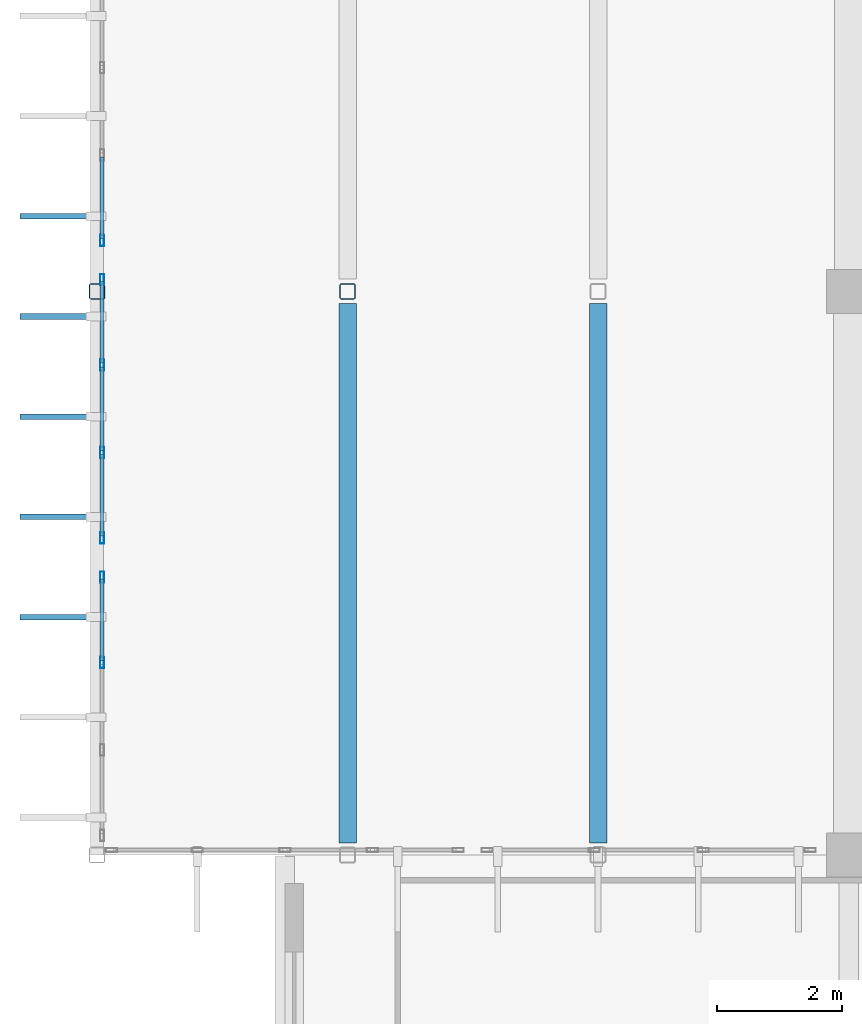
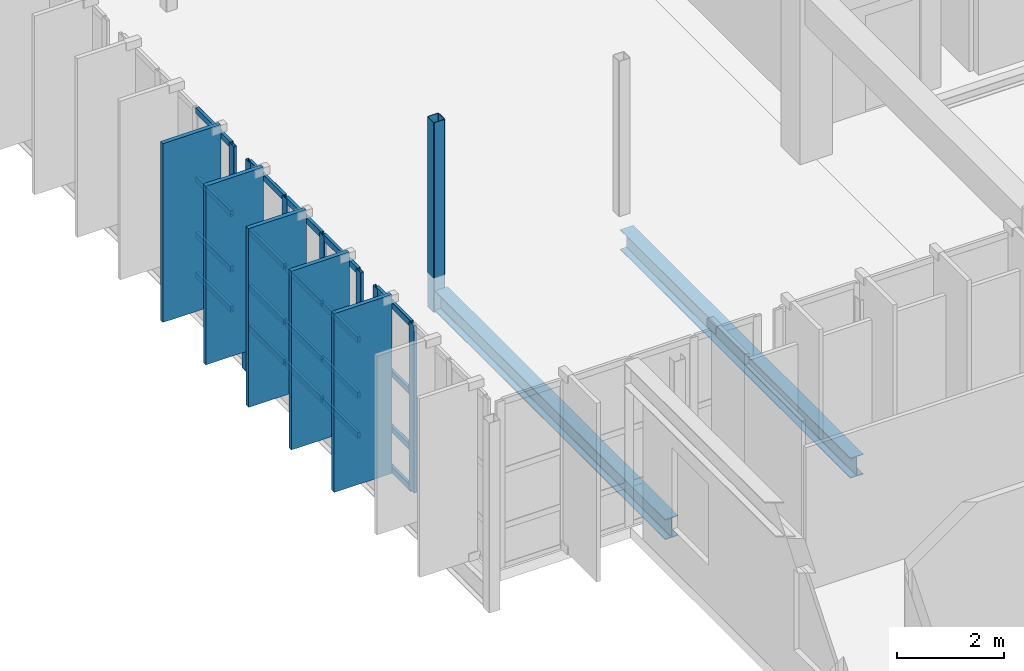
# One storey, part 27 of 110: 34 members, 2 beams, 3 elements without a shape of their own.
"""IFC4 building model written with IfcOpenShell, lengths in metres."""

from ifc_helpers import new_model, si_unit, direction, frame, origin, origin_2d, place, context, subcontext, project, spatial, rectangle, hollow_rectangle, i_section, extrude, material, material_profile, profile_set, type_object, element, aggregate, save


model = new_model("IFC4")

# Units and contexts
model_context = context("Model", 3, precision=1e-05, world=origin(), true_north=direction((0.0, 1.0)))
body_context = subcontext(model_context, "Body", "Model", "MODEL_VIEW")
ifc_project = project(units=[si_unit("LENGTHUNIT", "METRE"), si_unit("AREAUNIT", "SQUARE_METRE"), si_unit("VOLUMEUNIT", "CUBIC_METRE"), si_unit("PLANEANGLEUNIT", "RADIAN"), si_unit("MASSUNIT", "GRAM", prefix="KILO")], contexts=[model_context])

# Site, building, storey
site_placement = place(None, origin())
site = spatial("IfcSite", under=ifc_project, at=site_placement, CompositionType="ELEMENT")
building_placement = place(site_placement, origin())
building = spatial("IfcBuilding", under=site, at=building_placement, Name="Miravela Opera House", CompositionType="ELEMENT")
storey_placement = place(building_placement, frame((0.0, 0.0, 13.60009765625)))
storey = spatial("IfcBuildingStorey", under=building, at=storey_placement, Name="L03", CompositionType="ELEMENT", Elevation=13.60009765625)

# Curtain wall, members
ifc_material_1 = material(Name="Anodised architectural bronze aluminium 6063-T6", Category="aluminium")
curtain_wall_type = type_object("IfcCurtainWallType", Name="ARC-CW-02", PredefinedType="NOTDEFINED", material=ifc_material_1)
curtain_wall_1_placement = place(storey_placement, origin())
curtain_wall_1 = element("IfcCurtainWall", 1, at=curtain_wall_1_placement, inside=storey, type_object=curtain_wall_type, Name="Cantilever West Wrapper Glazing B1 CW-L03-015", PredefinedType="NOTDEFINED")
ifc_material_profile_1 = material_profile(ifc_material_1, hollow_rectangle(XDim=0.06494140625, YDim=0.179931640625, WallThickness=0.00390625, InnerFilletRadius=0.001953125, OuterFilletRadius=0.00390625, at=origin_2d()), Name="CWM-65X180")
ifc_profile_set_1 = profile_set([ifc_material_profile_1])
member_type_1 = type_object("IfcMemberType", Name="ARC-CWM-180", PredefinedType="MULLION", material=ifc_profile_set_1)
member_1_placement = place(storey_placement, frame((15.080078125, 40.0732421875, 0.0), z_axis=(0.0, 0.0, 1.0), x_axis=(-1.0, 0.0, 0.0)))
member_1 = element("IfcMember", 2, at=member_1_placement, type_object=member_type_1, Name="CW-02 mullion 3", PredefinedType="MULLION", context=body_context, shape_type="SweptSolid", body=[
    extrude(hollow_rectangle(XDim=0.06494140625, YDim=0.179931640625, WallThickness=0.00390625, InnerFilletRadius=0.001953125, OuterFilletRadius=0.00390625, at=origin_2d()), origin(), (0.0, 0.0, 1.0), 3.81982421875),
])
member_2_placement = place(storey_placement, frame((15.080078125, 41.4375, 0.0), z_axis=(0.0, 0.0, 1.0), x_axis=(-1.0, 0.0, 0.0)))
member_2 = element("IfcMember", 3, at=member_2_placement, type_object=member_type_1, Name="CW-02 mullion 4", PredefinedType="MULLION", context=body_context, shape_type="SweptSolid", body=[
    extrude(hollow_rectangle(XDim=0.06494140625, YDim=0.179931640625, WallThickness=0.00390625, InnerFilletRadius=0.001953125, OuterFilletRadius=0.00390625, at=origin_2d()), origin(), (0.0, 0.0, 1.0), 3.81982421875),
])

curtain_wall_2_placement = place(storey_placement, origin())
curtain_wall_2 = element("IfcCurtainWall", 4, at=curtain_wall_2_placement, inside=storey, type_object=curtain_wall_type, Name="Cantilever West Wrapper Glazing B2 CW-L03-016", PredefinedType="NOTDEFINED")
member_3_placement = place(storey_placement, frame((15.080078125, 42.0625, 0.0), z_axis=(0.0, 0.0, 1.0), x_axis=(-1.0, 0.0, 0.0)))
member_3 = element("IfcMember", 5, at=member_3_placement, type_object=member_type_1, Name="CW-02 mullion 1", PredefinedType="MULLION", context=body_context, shape_type="SweptSolid", body=[
    extrude(hollow_rectangle(XDim=0.06494140625, YDim=0.179931640625, WallThickness=0.00390625, InnerFilletRadius=0.001953125, OuterFilletRadius=0.00390625, at=origin_2d()), origin(), (0.0, 0.0, 1.0), 3.81982421875),
])
member_4_placement = place(storey_placement, frame((15.080078125, 43.4267578125, 0.0), z_axis=(0.0, 0.0, 1.0), x_axis=(-1.0, 0.0, 0.0)))
member_4 = element("IfcMember", 6, at=member_4_placement, type_object=member_type_1, Name="CW-02 mullion 2", PredefinedType="MULLION", context=body_context, shape_type="SweptSolid", body=[
    extrude(hollow_rectangle(XDim=0.06494140625, YDim=0.179931640625, WallThickness=0.00390625, InnerFilletRadius=0.001953125, OuterFilletRadius=0.00390625, at=origin_2d()), origin(), (0.0, 0.0, 1.0), 3.81982421875),
])
member_5_placement = place(storey_placement, frame((15.080078125, 44.8232421875, 0.0), z_axis=(0.0, 0.0, 1.0), x_axis=(-1.0, 0.0, 0.0)))
member_5 = element("IfcMember", 7, at=member_5_placement, type_object=member_type_1, Name="CW-02 mullion 3", PredefinedType="MULLION", context=body_context, shape_type="SweptSolid", body=[
    extrude(hollow_rectangle(XDim=0.06494140625, YDim=0.179931640625, WallThickness=0.00390625, InnerFilletRadius=0.001953125, OuterFilletRadius=0.00390625, at=origin_2d()), origin(), (0.0, 0.0, 1.0), 3.81982421875),
])
member_6_placement = place(storey_placement, frame((15.080078125, 46.1875, 0.0), z_axis=(0.0, 0.0, 1.0), x_axis=(-1.0, 0.0, 0.0)))
member_6 = element("IfcMember", 8, at=member_6_placement, type_object=member_type_1, Name="CW-02 mullion 4", PredefinedType="MULLION", context=body_context, shape_type="SweptSolid", body=[
    extrude(hollow_rectangle(XDim=0.06494140625, YDim=0.179931640625, WallThickness=0.00390625, InnerFilletRadius=0.001953125, OuterFilletRadius=0.00390625, at=origin_2d()), origin(), (0.0, 0.0, 1.0), 3.81982421875),
])

# Curtain wall, member
curtain_wall_3_placement = place(storey_placement, origin())
curtain_wall_3 = element("IfcCurtainWall", 9, at=curtain_wall_3_placement, inside=storey, type_object=curtain_wall_type, Name="Cantilever West Wrapper Glazing B3 CW-L03-017", PredefinedType="NOTDEFINED")
member_7_placement = place(storey_placement, frame((15.080078125, 46.8125, 0.0), z_axis=(0.0, 0.0, 1.0), x_axis=(-1.0, 0.0, 0.0)))
member_7 = element("IfcMember", 10, at=member_7_placement, type_object=member_type_1, Name="CW-02 mullion 1", PredefinedType="MULLION", context=body_context, shape_type="SweptSolid", body=[
    extrude(hollow_rectangle(XDim=0.06494140625, YDim=0.179931640625, WallThickness=0.00390625, InnerFilletRadius=0.001953125, OuterFilletRadius=0.00390625, at=origin_2d()), origin(), (0.0, 0.0, 1.0), 3.81982421875),
])

# Member
ifc_material_profile_2 = material_profile(ifc_material_1, hollow_rectangle(XDim=0.06494140625, YDim=0.139892578125, WallThickness=0.00390625, InnerFilletRadius=0.001953125, OuterFilletRadius=0.00390625, at=origin_2d()), Name="CWT-65X140")
ifc_profile_set_2 = profile_set([ifc_material_profile_2])
member_type_2 = type_object("IfcMemberType", Name="ARC-CWT-140", PredefinedType="USERDEFINED", material=ifc_profile_set_2)
member_8_placement = place(storey_placement, frame((15.080078125, 40.105712890625, 0.032470703125), z_axis=(0.0, 1.0, 0.0), x_axis=(-1.0, 0.0, 0.0)))
member_8 = element("IfcMember", 11, at=member_8_placement, type_object=member_type_2, Name="CW-02 transom 3.1", ObjectType="TRANSOM", PredefinedType="USERDEFINED", context=body_context, shape_type="SweptSolid", body=[
    extrude(hollow_rectangle(XDim=0.06494140625, YDim=0.139892578125, WallThickness=0.00390625, InnerFilletRadius=0.001953125, OuterFilletRadius=0.00390625, at=origin_2d()), origin(), (0.0, 0.0, 1.0), 1.29931640625),
])

member_9_placement = place(storey_placement, frame((15.080078125, 40.105712890625, 0.949951171875), z_axis=(0.0, 1.0, 0.0), x_axis=(-1.0, 0.0, 0.0)))
member_9 = element("IfcMember", 12, at=member_9_placement, type_object=member_type_2, Name="CW-02 transom 3.2", ObjectType="TRANSOM", PredefinedType="USERDEFINED", context=body_context, shape_type="SweptSolid", body=[
    extrude(hollow_rectangle(XDim=0.06494140625, YDim=0.139892578125, WallThickness=0.00390625, InnerFilletRadius=0.001953125, OuterFilletRadius=0.00390625, at=origin_2d()), origin(), (0.0, 0.0, 1.0), 1.29931640625),
])

member_10_placement = place(storey_placement, frame((15.080078125, 40.105712890625, 2.215576171875), z_axis=(0.0, 1.0, 0.0), x_axis=(-1.0, 0.0, 0.0)))
member_10 = element("IfcMember", 13, at=member_10_placement, type_object=member_type_2, Name="CW-02 transom 3.3", ObjectType="TRANSOM", PredefinedType="USERDEFINED", context=body_context, shape_type="SweptSolid", body=[
    extrude(hollow_rectangle(XDim=0.06494140625, YDim=0.139892578125, WallThickness=0.00390625, InnerFilletRadius=0.001953125, OuterFilletRadius=0.00390625, at=origin_2d()), origin(), (0.0, 0.0, 1.0), 1.29931640625),
])

member_11_placement = place(storey_placement, frame((15.080078125, 40.105712890625, 3.787353515625), z_axis=(0.0, 1.0, 0.0), x_axis=(-1.0, 0.0, 0.0)))
member_11 = element("IfcMember", 14, at=member_11_placement, type_object=member_type_2, Name="CW-02 transom 3.4", ObjectType="TRANSOM", PredefinedType="USERDEFINED", context=body_context, shape_type="SweptSolid", body=[
    extrude(hollow_rectangle(XDim=0.06494140625, YDim=0.139892578125, WallThickness=0.00390625, InnerFilletRadius=0.001953125, OuterFilletRadius=0.00390625, at=origin_2d()), origin(), (0.0, 0.0, 1.0), 1.29931640625),
])

aggregate(curtain_wall_1, [member_1, member_2, member_8, member_9, member_10, member_11])

member_12_placement = place(storey_placement, frame((15.080078125, 42.094970703125, 0.032470703125), z_axis=(0.0, 1.0, 0.0), x_axis=(-1.0, 0.0, 0.0)))
member_12 = element("IfcMember", 15, at=member_12_placement, type_object=member_type_2, Name="CW-02 transom 1.1", ObjectType="TRANSOM", PredefinedType="USERDEFINED", context=body_context, shape_type="SweptSolid", body=[
    extrude(hollow_rectangle(XDim=0.06494140625, YDim=0.139892578125, WallThickness=0.00390625, InnerFilletRadius=0.001953125, OuterFilletRadius=0.00390625, at=origin_2d()), origin(), (0.0, 0.0, 1.0), 1.29931640625),
])

member_13_placement = place(storey_placement, frame((15.080078125, 42.094970703125, 0.949951171875), z_axis=(0.0, 1.0, 0.0), x_axis=(-1.0, 0.0, 0.0)))
member_13 = element("IfcMember", 16, at=member_13_placement, type_object=member_type_2, Name="CW-02 transom 1.2", ObjectType="TRANSOM", PredefinedType="USERDEFINED", context=body_context, shape_type="SweptSolid", body=[
    extrude(hollow_rectangle(XDim=0.06494140625, YDim=0.139892578125, WallThickness=0.00390625, InnerFilletRadius=0.001953125, OuterFilletRadius=0.00390625, at=origin_2d()), origin(), (0.0, 0.0, 1.0), 1.29931640625),
])

member_14_placement = place(storey_placement, frame((15.080078125, 42.094970703125, 2.215576171875), z_axis=(0.0, 1.0, 0.0), x_axis=(-1.0, 0.0, 0.0)))
member_14 = element("IfcMember", 17, at=member_14_placement, type_object=member_type_2, Name="CW-02 transom 1.3", ObjectType="TRANSOM", PredefinedType="USERDEFINED", context=body_context, shape_type="SweptSolid", body=[
    extrude(hollow_rectangle(XDim=0.06494140625, YDim=0.139892578125, WallThickness=0.00390625, InnerFilletRadius=0.001953125, OuterFilletRadius=0.00390625, at=origin_2d()), origin(), (0.0, 0.0, 1.0), 1.29931640625),
])

member_15_placement = place(storey_placement, frame((15.080078125, 42.094970703125, 3.787353515625), z_axis=(0.0, 1.0, 0.0), x_axis=(-1.0, 0.0, 0.0)))
member_15 = element("IfcMember", 18, at=member_15_placement, type_object=member_type_2, Name="CW-02 transom 1.4", ObjectType="TRANSOM", PredefinedType="USERDEFINED", context=body_context, shape_type="SweptSolid", body=[
    extrude(hollow_rectangle(XDim=0.06494140625, YDim=0.139892578125, WallThickness=0.00390625, InnerFilletRadius=0.001953125, OuterFilletRadius=0.00390625, at=origin_2d()), origin(), (0.0, 0.0, 1.0), 1.29931640625),
])

member_16_placement = place(storey_placement, frame((15.080078125, 43.459228515625, 0.032470703125), z_axis=(0.0, 1.0, 0.0), x_axis=(-1.0, 0.0, 0.0)))
member_16 = element("IfcMember", 19, at=member_16_placement, type_object=member_type_2, Name="CW-02 transom 2.1", ObjectType="TRANSOM", PredefinedType="USERDEFINED", context=body_context, shape_type="SweptSolid", body=[
    extrude(hollow_rectangle(XDim=0.06494140625, YDim=0.139892578125, WallThickness=0.00390625, InnerFilletRadius=0.001953125, OuterFilletRadius=0.00390625, at=origin_2d()), origin(), (0.0, 0.0, 1.0), 1.33154296875),
])

member_17_placement = place(storey_placement, frame((15.080078125, 43.459228515625, 0.949951171875), z_axis=(0.0, 1.0, 0.0), x_axis=(-1.0, 0.0, 0.0)))
member_17 = element("IfcMember", 20, at=member_17_placement, type_object=member_type_2, Name="CW-02 transom 2.2", ObjectType="TRANSOM", PredefinedType="USERDEFINED", context=body_context, shape_type="SweptSolid", body=[
    extrude(hollow_rectangle(XDim=0.06494140625, YDim=0.139892578125, WallThickness=0.00390625, InnerFilletRadius=0.001953125, OuterFilletRadius=0.00390625, at=origin_2d()), origin(), (0.0, 0.0, 1.0), 1.33154296875),
])

member_18_placement = place(storey_placement, frame((15.080078125, 43.459228515625, 2.215576171875), z_axis=(0.0, 1.0, 0.0), x_axis=(-1.0, 0.0, 0.0)))
member_18 = element("IfcMember", 21, at=member_18_placement, type_object=member_type_2, Name="CW-02 transom 2.3", ObjectType="TRANSOM", PredefinedType="USERDEFINED", context=body_context, shape_type="SweptSolid", body=[
    extrude(hollow_rectangle(XDim=0.06494140625, YDim=0.139892578125, WallThickness=0.00390625, InnerFilletRadius=0.001953125, OuterFilletRadius=0.00390625, at=origin_2d()), origin(), (0.0, 0.0, 1.0), 1.33154296875),
])

member_19_placement = place(storey_placement, frame((15.080078125, 43.459228515625, 3.787353515625), z_axis=(0.0, 1.0, 0.0), x_axis=(-1.0, 0.0, 0.0)))
member_19 = element("IfcMember", 22, at=member_19_placement, type_object=member_type_2, Name="CW-02 transom 2.4", ObjectType="TRANSOM", PredefinedType="USERDEFINED", context=body_context, shape_type="SweptSolid", body=[
    extrude(hollow_rectangle(XDim=0.06494140625, YDim=0.139892578125, WallThickness=0.00390625, InnerFilletRadius=0.001953125, OuterFilletRadius=0.00390625, at=origin_2d()), origin(), (0.0, 0.0, 1.0), 1.33154296875),
])

member_20_placement = place(storey_placement, frame((15.080078125, 44.855712890625, 0.032470703125), z_axis=(0.0, 1.0, 0.0), x_axis=(-1.0, 0.0, 0.0)))
member_20 = element("IfcMember", 23, at=member_20_placement, type_object=member_type_2, Name="CW-02 transom 3.1", ObjectType="TRANSOM", PredefinedType="USERDEFINED", context=body_context, shape_type="SweptSolid", body=[
    extrude(hollow_rectangle(XDim=0.06494140625, YDim=0.139892578125, WallThickness=0.00390625, InnerFilletRadius=0.001953125, OuterFilletRadius=0.00390625, at=origin_2d()), origin(), (0.0, 0.0, 1.0), 1.29931640625),
])

member_21_placement = place(storey_placement, frame((15.080078125, 44.855712890625, 0.949951171875), z_axis=(0.0, 1.0, 0.0), x_axis=(-1.0, 0.0, 0.0)))
member_21 = element("IfcMember", 24, at=member_21_placement, type_object=member_type_2, Name="CW-02 transom 3.2", ObjectType="TRANSOM", PredefinedType="USERDEFINED", context=body_context, shape_type="SweptSolid", body=[
    extrude(hollow_rectangle(XDim=0.06494140625, YDim=0.139892578125, WallThickness=0.00390625, InnerFilletRadius=0.001953125, OuterFilletRadius=0.00390625, at=origin_2d()), origin(), (0.0, 0.0, 1.0), 1.29931640625),
])

member_22_placement = place(storey_placement, frame((15.080078125, 44.855712890625, 2.215576171875), z_axis=(0.0, 1.0, 0.0), x_axis=(-1.0, 0.0, 0.0)))
member_22 = element("IfcMember", 25, at=member_22_placement, type_object=member_type_2, Name="CW-02 transom 3.3", ObjectType="TRANSOM", PredefinedType="USERDEFINED", context=body_context, shape_type="SweptSolid", body=[
    extrude(hollow_rectangle(XDim=0.06494140625, YDim=0.139892578125, WallThickness=0.00390625, InnerFilletRadius=0.001953125, OuterFilletRadius=0.00390625, at=origin_2d()), origin(), (0.0, 0.0, 1.0), 1.29931640625),
])

member_23_placement = place(storey_placement, frame((15.080078125, 44.855712890625, 3.787353515625), z_axis=(0.0, 1.0, 0.0), x_axis=(-1.0, 0.0, 0.0)))
member_23 = element("IfcMember", 26, at=member_23_placement, type_object=member_type_2, Name="CW-02 transom 3.4", ObjectType="TRANSOM", PredefinedType="USERDEFINED", context=body_context, shape_type="SweptSolid", body=[
    extrude(hollow_rectangle(XDim=0.06494140625, YDim=0.139892578125, WallThickness=0.00390625, InnerFilletRadius=0.001953125, OuterFilletRadius=0.00390625, at=origin_2d()), origin(), (0.0, 0.0, 1.0), 1.29931640625),
])

aggregate(curtain_wall_2, [member_3, member_4, member_5, member_6, member_12, member_13, member_14, member_15, member_16, member_17, member_18, member_19, member_20, member_21, member_22, member_23])

member_24_placement = place(storey_placement, frame((15.080078125, 46.844970703125, 0.032470703125), z_axis=(0.0, 1.0, 0.0), x_axis=(-1.0, 0.0, 0.0)))
member_24 = element("IfcMember", 27, at=member_24_placement, type_object=member_type_2, Name="CW-02 transom 1.1", ObjectType="TRANSOM", PredefinedType="USERDEFINED", context=body_context, shape_type="SweptSolid", body=[
    extrude(hollow_rectangle(XDim=0.06494140625, YDim=0.139892578125, WallThickness=0.00390625, InnerFilletRadius=0.001953125, OuterFilletRadius=0.00390625, at=origin_2d()), origin(), (0.0, 0.0, 1.0), 1.29931640625),
])

member_25_placement = place(storey_placement, frame((15.080078125, 46.844970703125, 0.949951171875), z_axis=(0.0, 1.0, 0.0), x_axis=(-1.0, 0.0, 0.0)))
member_25 = element("IfcMember", 28, at=member_25_placement, type_object=member_type_2, Name="CW-02 transom 1.2", ObjectType="TRANSOM", PredefinedType="USERDEFINED", context=body_context, shape_type="SweptSolid", body=[
    extrude(hollow_rectangle(XDim=0.06494140625, YDim=0.139892578125, WallThickness=0.00390625, InnerFilletRadius=0.001953125, OuterFilletRadius=0.00390625, at=origin_2d()), origin(), (0.0, 0.0, 1.0), 1.29931640625),
])

member_26_placement = place(storey_placement, frame((15.080078125, 46.844970703125, 2.215576171875), z_axis=(0.0, 1.0, 0.0), x_axis=(-1.0, 0.0, 0.0)))
member_26 = element("IfcMember", 29, at=member_26_placement, type_object=member_type_2, Name="CW-02 transom 1.3", ObjectType="TRANSOM", PredefinedType="USERDEFINED", context=body_context, shape_type="SweptSolid", body=[
    extrude(hollow_rectangle(XDim=0.06494140625, YDim=0.139892578125, WallThickness=0.00390625, InnerFilletRadius=0.001953125, OuterFilletRadius=0.00390625, at=origin_2d()), origin(), (0.0, 0.0, 1.0), 1.29931640625),
])

member_27_placement = place(storey_placement, frame((15.080078125, 46.844970703125, 3.787353515625), z_axis=(0.0, 1.0, 0.0), x_axis=(-1.0, 0.0, 0.0)))
member_27 = element("IfcMember", 30, at=member_27_placement, type_object=member_type_2, Name="CW-02 transom 1.4", ObjectType="TRANSOM", PredefinedType="USERDEFINED", context=body_context, shape_type="SweptSolid", body=[
    extrude(hollow_rectangle(XDim=0.06494140625, YDim=0.139892578125, WallThickness=0.00390625, InnerFilletRadius=0.001953125, OuterFilletRadius=0.00390625, at=origin_2d()), origin(), (0.0, 0.0, 1.0), 1.29931640625),
])

aggregate(curtain_wall_3, [member_7, member_24, member_25, member_26, member_27])

# Members
ifc_material_profile_3 = material_profile(ifc_material_1, rectangle(XDim=0.090087890625, YDim=1.25, at=origin_2d()), Name="FIN-1250X90")
ifc_profile_set_3 = profile_set([ifc_material_profile_3])
member_type_3 = type_object("IfcMemberType", Name="ARC-FIN-1250", PredefinedType="USERDEFINED", material=ifc_profile_set_3)
for number, where, z_axis, x_axis, name in (
    (31, (14.39501953125, 40.800048828125, 0.0), (0.0, 0.0, 1.0), (0.0, 1.0, 0.0), "Auditorium Wrapper Bronze Solar Fin FIN-L03-WEST-0039"),
    (32, (14.39501953125, 42.39990234375, 0.0), (0.0, 0.0, 1.0), (0.0, 1.0, 0.0), "Auditorium Wrapper Bronze Solar Fin FIN-L03-WEST-0040"),
    (33, (14.39501953125, 44.0, 0.0), (0.0, 0.0, 1.0), (0.0, 1.0, 0.0), "Auditorium Wrapper Bronze Solar Fin FIN-L03-WEST-0041"),
    (34, (14.39501953125, 45.60009765625, 0.0), (0.0, 0.0, 1.0), (0.0, 1.0, 0.0), "Auditorium Wrapper Bronze Solar Fin FIN-L03-WEST-0042"),
    (35, (14.39501953125, 47.199951171875, 0.0), (0.0, 0.0, 1.0), (0.0, 1.0, 0.0), "Auditorium Wrapper Bronze Solar Fin FIN-L03-WEST-0043"),
):
    element("IfcMember", number, at=place(storey_placement, frame(where, z_axis=z_axis, x_axis=x_axis)), inside=storey, type_object=member_type_3, Name=name, ObjectType="FIN", PredefinedType="USERDEFINED", context=body_context, shape_type="SweptSolid", body=[
        extrude(rectangle(XDim=0.090087890625, YDim=1.25, at=origin_2d()), origin(), (0.0, 0.0, 1.0), 4.079833984375),
    ])

# Beams
ifc_material_2 = material(Name="Structural steel ASTM A992 Gr. 50", Category="steel")
ifc_material_profile_4 = material_profile(ifc_material_2, i_section(OverallWidth=0.280029296875, OverallDepth=0.462890625, WebThickness=0.0107421875, FlangeThickness=0.017333984375, FilletRadius=0.014892578125, at=origin_2d()), Name="W460X113")
ifc_profile_set_4 = profile_set([ifc_material_profile_4])
beam_type = type_object("IfcBeamType", Name="STR-BM-W460X113", PredefinedType="BEAM", material=ifc_profile_set_4)
for number, where, z_axis, x_axis, name in (
    (36, (19.0, 37.195068359375, -0.4716796875), (0.0, 1.0, 0.0), (-1.0, 0.0, 0.0), "Cantilever Overhang Beam L03 X=19"),
    (37, (23.0, 37.195068359375, -0.4716796875), (0.0, 1.0, 0.0), (-1.0, 0.0, 0.0), "Cantilever Overhang Beam L03 X=23"),
):
    element("IfcBeam", number, at=place(storey_placement, frame(where, z_axis=z_axis, x_axis=x_axis)), inside=storey, type_object=beam_type, Name=name, PredefinedType="BEAM", context=body_context, shape_type="SweptSolid", body=[
        extrude(i_section(OverallWidth=0.280029296875, OverallDepth=0.462890625, WebThickness=0.0107421875, FlangeThickness=0.017333984375, FilletRadius=0.014892578125, at=origin_2d()), origin(), (0.0, 0.0, 1.0), 8.60986328125),
    ])

# Members
ifc_material_3 = material(Name="Hollow structural steel ASTM A500 Gr. C", Category="steel")
ifc_material_profile_5 = material_profile(ifc_material_3, hollow_rectangle(XDim=0.25, YDim=0.25, WallThickness=0.011962890625, InnerFilletRadius=0.011962890625, OuterFilletRadius=0.02392578125, at=origin_2d()), Name="HSS250X250X12")
ifc_profile_set_5 = profile_set([ifc_material_profile_5])
member_type_4 = type_object("IfcMemberType", Name="STR-MEM-CANT-POST2", PredefinedType="POST", material=ifc_profile_set_5)
for number, where, z_axis, x_axis, name in (
    (38, (15.0, 46.0, -0.793212890625), (0.0, 0.0, 1.0), (1.0, 0.0, 0.0), "Upper Wrapper Truss Post L03 X=15.0"),
    (39, (19.0, 46.0, -0.793212890625), (0.0, 0.0, 1.0), (1.0, 0.0, 0.0), "Upper Wrapper Truss Post L03 X=19.0"),
):
    element("IfcMember", number, at=place(storey_placement, frame(where, z_axis=z_axis, x_axis=x_axis)), inside=storey, type_object=member_type_4, Name=name, PredefinedType="POST", context=body_context, shape_type="SweptSolid", body=[
        extrude(hollow_rectangle(XDim=0.25, YDim=0.25, WallThickness=0.011962890625, InnerFilletRadius=0.011962890625, OuterFilletRadius=0.02392578125, at=origin_2d()), origin(), (0.0, 0.0, 1.0), 4.3330078125),
    ])

save(model, "model.ifc")
